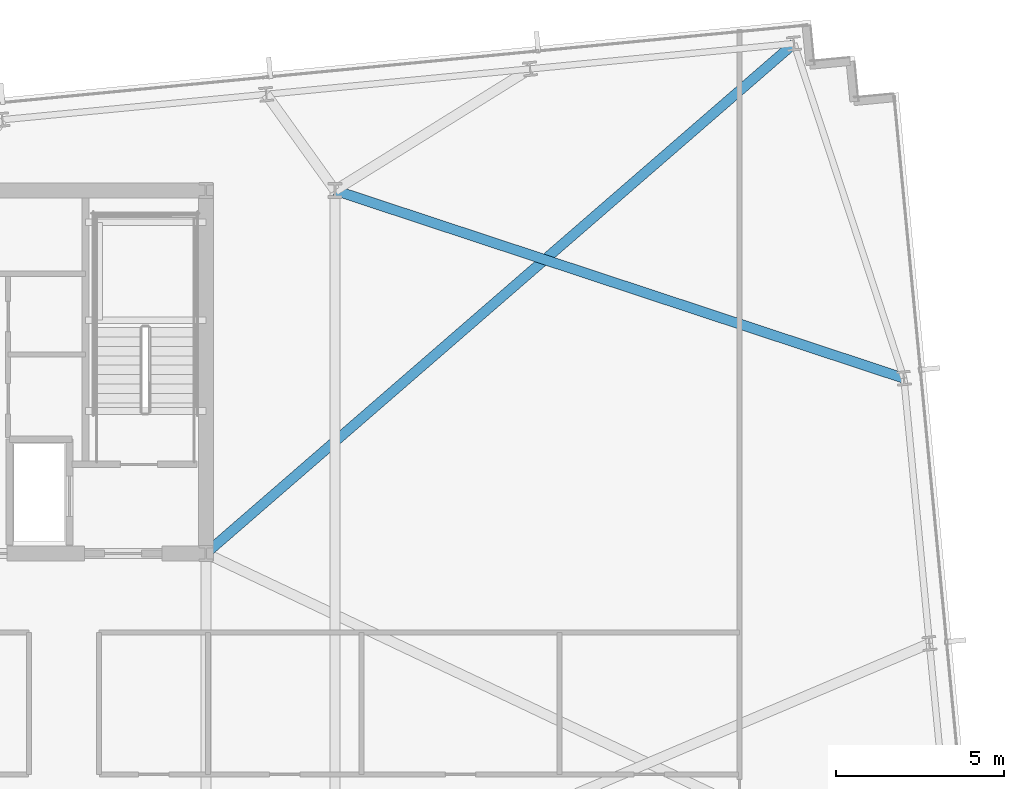
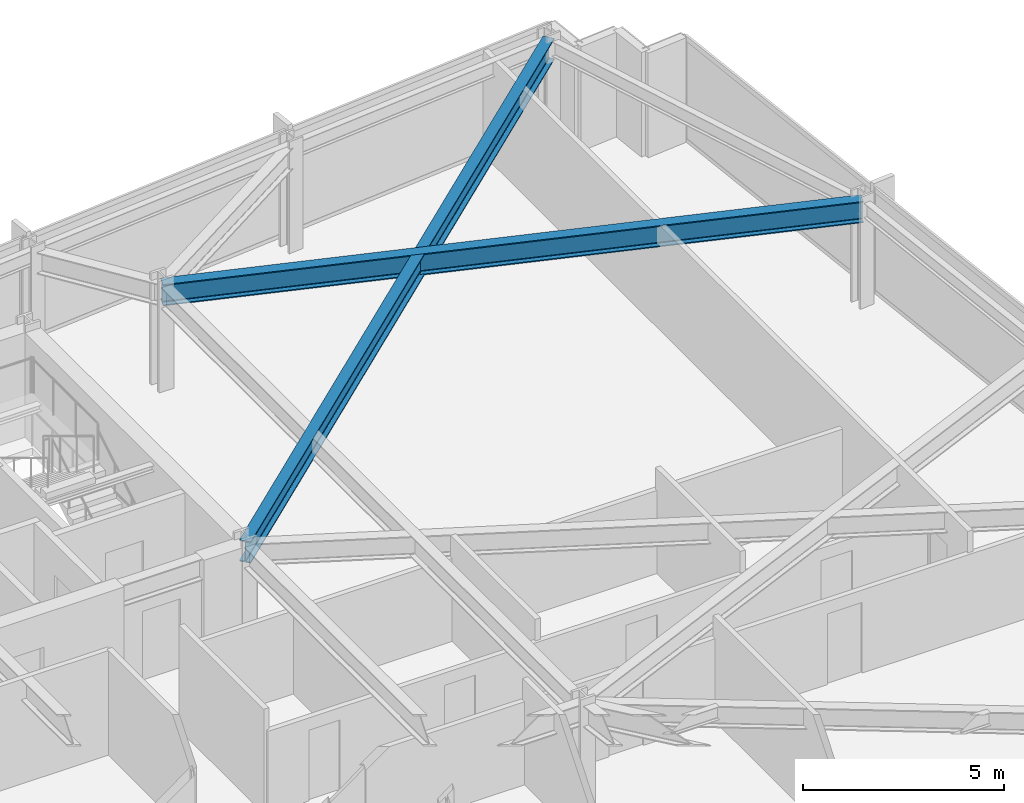
# One storey, part 22 of 33: 2 beams.
"""IFC4 building model written with IfcOpenShell, lengths in metres."""

from ifc_helpers import new_model, si_unit, direction, frame, origin, origin_2d, place, context, subcontext, project, spatial, i_section, extrude, material, material_profile, profile_set, type_object, element, save


model = new_model("IFC4")

# Units and contexts
model_context = context("Model", 3, precision=1e-05, world=origin(), true_north=direction((0.0, 1.0)))
body_context = subcontext(model_context, "Body", "Model", "MODEL_VIEW")
ifc_project = project(units=[si_unit("LENGTHUNIT", "METRE"), si_unit("AREAUNIT", "SQUARE_METRE"), si_unit("VOLUMEUNIT", "CUBIC_METRE"), si_unit("PLANEANGLEUNIT", "RADIAN"), si_unit("MASSUNIT", "GRAM", prefix="KILO")], contexts=[model_context])

# Site, building, storey
site_placement = place(None, origin())
site = spatial("IfcSite", under=ifc_project, at=site_placement, CompositionType="ELEMENT")
building_placement = place(site_placement, origin())
building = spatial("IfcBuilding", under=site, at=building_placement, Name="Yelkora Congress Tower", CompositionType="ELEMENT")
storey_placement = place(building_placement, frame((0.0, 0.0, 106.699951171875)))
storey = spatial("IfcBuildingStorey", under=building, at=storey_placement, Name="L28", CompositionType="ELEMENT", Elevation=106.699951171875)

# Beams
ifc_material = material(Name="Steel S355J2", Category="steel")
ifc_material_profile = material_profile(ifc_material, i_section(OverallWidth=0.300048828125, OverallDepth=0.64990234375, WebThickness=0.01611328125, FlangeThickness=0.031005859375, FilletRadius=0.027099609375, at=origin_2d()), Name="HEB 650")
ifc_profile_set = profile_set([ifc_material_profile], Name="Steel S355J2")
beam_type = type_object("IfcBeamType", Name="BM-GIRD-HEB650", PredefinedType="BEAM", material=ifc_profile_set)
beam_1_placement = place(storey_placement, frame((71.252685546875, 50.568115234375, 2.85498046875), z_axis=(-0.755520317406, -0.655125217029, 0.0), x_axis=(0.655125217029, -0.755520317406, 0.0)))
element("IfcBeam", 1, at=beam_1_placement, inside=storey, type_object=beam_type, Name="L28 Primary Frame Girder N08", PredefinedType="BEAM", context=body_context, shape_type="SweptSolid", body=[
    extrude(i_section(OverallWidth=0.300048828125, OverallDepth=0.64990234375, WebThickness=0.01611328125, FlangeThickness=0.031005859375, FilletRadius=0.027099609375, at=origin_2d()), origin(), (0.0, 0.0, 1.0), 23.153076171875),
])
beam_2_placement = place(storey_placement, frame((74.522216796875, 40.610595703125, 2.85498046875), z_axis=(-0.949544183597, 0.313633294465, 0.0), x_axis=(-0.313633294465, -0.949544183597, 0.0)))
element("IfcBeam", 2, at=beam_2_placement, inside=storey, type_object=beam_type, Name="L28 Primary Frame Girder E03", PredefinedType="BEAM", context=body_context, shape_type="SweptSolid", body=[
    extrude(i_section(OverallWidth=0.300048828125, OverallDepth=0.64990234375, WebThickness=0.01611328125, FlangeThickness=0.031005859375, FilletRadius=0.027099609375, at=origin_2d()), origin(), (0.0, 0.0, 1.0), 17.8212890625),
])

save(model, "model.ifc")
